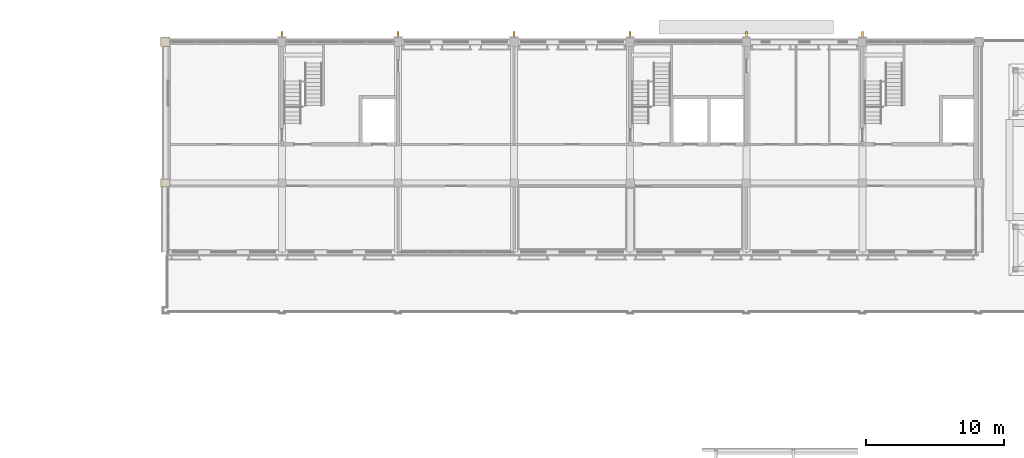
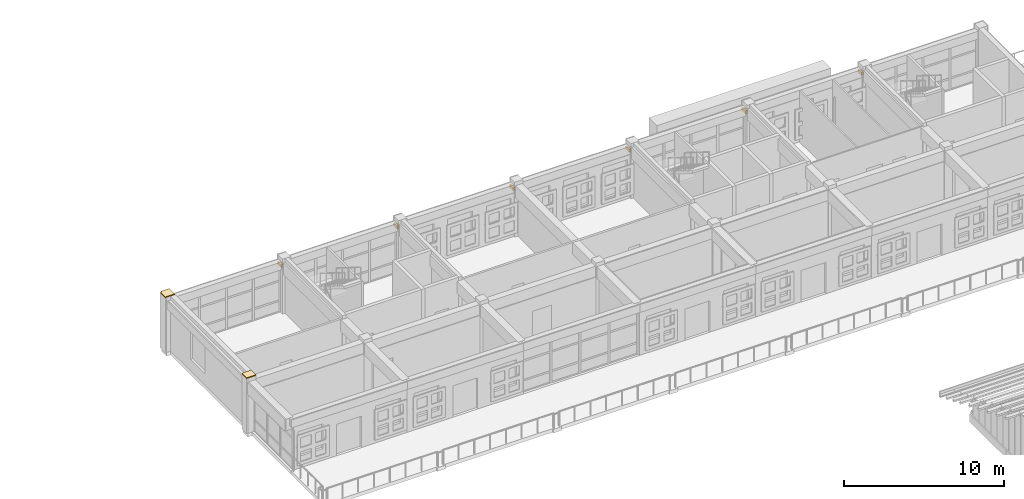
# One storey, part 71 of 71: 6 shading devices, 2 coverings.
"""IFC4 building model written with IfcOpenShell, lengths in metres."""

from ifc_helpers import new_model, si_unit, direction, frame, origin, origin_2d, place, context, subcontext, project, spatial, polyline, rectangle, outline, extrude, material, layer, layer_set, type_object, element, save


model = new_model("IFC4")

# Units and contexts
model_context = context("Model", 3, precision=1e-05, world=origin(), true_north=direction((0.0, 1.0)))
body_context = subcontext(model_context, "Body", "Model", "MODEL_VIEW")
ifc_project = project(units=[si_unit("LENGTHUNIT", "METRE"), si_unit("AREAUNIT", "SQUARE_METRE"), si_unit("VOLUMEUNIT", "CUBIC_METRE"), si_unit("PLANEANGLEUNIT", "RADIAN"), si_unit("MASSUNIT", "GRAM", prefix="KILO")], contexts=[model_context])

# Site, building, storey
site_placement = place(None, origin())
site = spatial("IfcSite", under=ifc_project, at=site_placement, CompositionType="ELEMENT")
building_placement = place(site_placement, origin())
building = spatial("IfcBuilding", under=site, at=building_placement, Name="Wasatch Bagh Community Centre", CompositionType="ELEMENT")
storey_placement = place(building_placement, frame((0.0, 0.0, 12.60009765625)))
storey = spatial("IfcBuildingStorey", under=building, at=storey_placement, Name="L03", CompositionType="ELEMENT", Elevation=12.60009765625)

# Coverings
ifc_material_1 = material(Name="Cast stone cladding", Category="masonry")
ifc_layer = layer(ifc_material_1, 0.080078125)
ifc_layer_set = layer_set([ifc_layer], Name="Cast stone cladding")
covering_type = type_object("IfcCoveringType", Name="CL-C1 column facing", PredefinedType="CLADDING", material=ifc_layer_set)
covering_1_placement = place(storey_placement, frame((0.0, 0.0, 4.199951171875)))
element("IfcCovering", 1, at=covering_1_placement, inside=storey, type_object=covering_type, Name="Column facing", PredefinedType="CLADDING", context=body_context, shape_type="SweptSolid", body=[
    extrude(outline(polyline([(72.02001953125, 87.300048828125), (72.02001953125, 87.89990234375), (72.699951171875, 87.89990234375), (72.699951171875, 87.300048828125), (72.02001953125, 87.300048828125)])), origin(), (0.0, 0.0, 1.0), 0.079833984375),
])
covering_2_placement = place(storey_placement, frame((0.0, 0.0, 4.199951171875)))
element("IfcCovering", 2, at=covering_2_placement, inside=storey, type_object=covering_type, Name="Column facing", PredefinedType="CLADDING", context=body_context, shape_type="SweptSolid", body=[
    extrude(outline(polyline([(72.02001953125, 97.5), (72.02001953125, 98.10009765625), (72.10009765625, 98.10009765625), (72.10009765625, 98.179931640625), (72.699951171875, 98.179931640625), (72.699951171875, 97.5), (72.02001953125, 97.5)])), origin(), (0.0, 0.0, 1.0), 0.079833984375),
])

# Shading devices
ifc_material_2 = material(Name="Powder-coated aluminium", Category="aluminium")
shading_device_type = type_object("IfcShadingDeviceType", Name="LW north fin 150x450", PredefinedType="USERDEFINED", material=ifc_material_2)
for number, where, z_axis, x_axis, name in (
    (3, (80.800048828125, 98.324951171875, 3.10009765625), (0.0, 0.0, 1.0), (1.0, 0.0, 0.0), "Facade fin"),
    (4, (89.199951171875, 98.324951171875, 3.10009765625), (0.0, 0.0, 1.0), (1.0, 0.0, 0.0), "Facade fin"),
    (5, (97.60009765625, 98.324951171875, 3.10009765625), (0.0, 0.0, 1.0), (1.0, 0.0, 0.0), "Facade fin"),
    (6, (106.0, 98.324951171875, 3.10009765625), (0.0, 0.0, 1.0), (1.0, 0.0, 0.0), "Facade fin"),
    (7, (114.39990234375, 98.324951171875, 3.10009765625), (0.0, 0.0, 1.0), (1.0, 0.0, 0.0), "Facade fin"),
    (8, (122.800048828125, 98.324951171875, 3.10009765625), (0.0, 0.0, 1.0), (1.0, 0.0, 0.0), "Facade fin"),
):
    element("IfcShadingDevice", number, at=place(storey_placement, frame(where, z_axis=z_axis, x_axis=x_axis)), inside=storey, type_object=shading_device_type, Name=name, ObjectType="Facade fin", PredefinedType="USERDEFINED", context=body_context, shape_type="SweptSolid", body=[
        extrude(rectangle(XDim=0.14990234375, YDim=0.449951171875, at=origin_2d()), origin(), (0.0, 0.0, 1.0), 0.219970703125),
    ])

save(model, "model.ifc")
